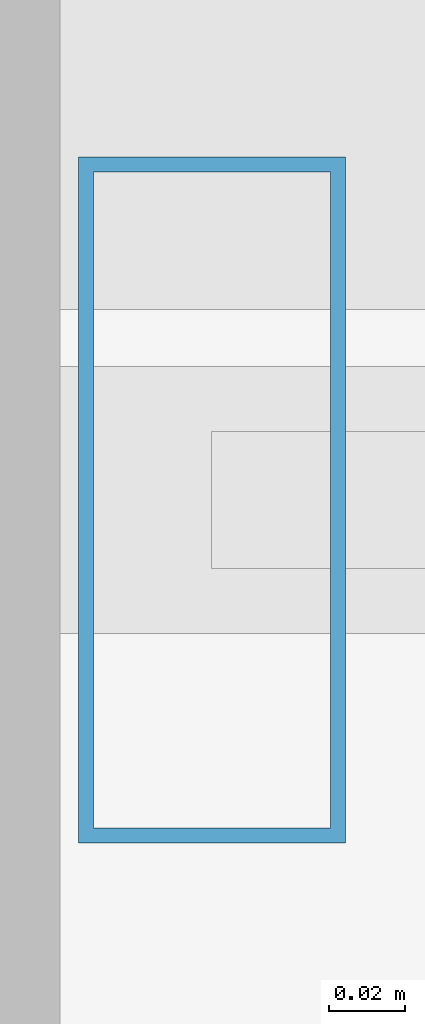
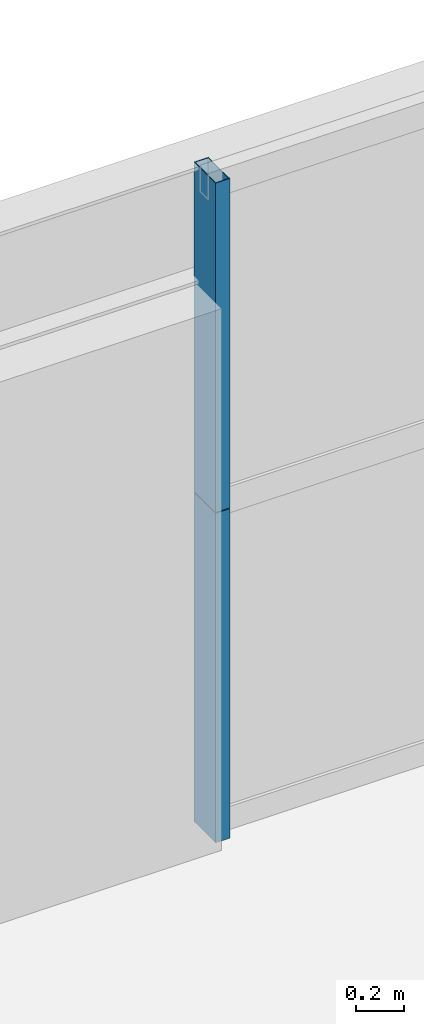
# One storey, part 25 of 41: 2 members, 1 element without a shape of its own.
"""IFC4 building model written with IfcOpenShell, lengths in metres."""

from ifc_helpers import new_model, si_unit, direction, frame, origin, origin_2d, place, context, subcontext, project, spatial, hollow_rectangle, extrude, source, transform, mapped, material, layer, layer_set, material_profile, profile_set, type_object, element, aggregate, save


model = new_model("IFC4")

# Units and contexts
model_context = context("Model", 3, precision=1e-05, world=origin(), true_north=direction((0.0, 1.0)))
body_context = subcontext(model_context, "Body", "Model", "MODEL_VIEW")
ifc_project = project(units=[si_unit("LENGTHUNIT", "METRE"), si_unit("AREAUNIT", "SQUARE_METRE"), si_unit("VOLUMEUNIT", "CUBIC_METRE"), si_unit("PLANEANGLEUNIT", "RADIAN"), si_unit("MASSUNIT", "GRAM", prefix="KILO"), si_unit("THERMODYNAMICTEMPERATUREUNIT", "KELVIN"), si_unit("POWERUNIT", "WATT")], contexts=[model_context])

# Site, building, storey
site_placement = place(None, origin())
site = spatial("IfcSite", under=ifc_project, at=site_placement, CompositionType="ELEMENT")
building_placement = place(site_placement, origin())
building = spatial("IfcBuilding", under=site, at=building_placement, Name="Yuzanri Waterfront Tower", CompositionType="ELEMENT")
storey_placement = place(building_placement, frame((0.0, 0.0, 115.39990234375)))
storey = spatial("IfcBuildingStorey", under=building, at=storey_placement, Name="L30", CompositionType="ELEMENT", Elevation=115.39990234375)

# Curtain wall, members
ifc_material_1 = material(Name="Anodized Architectural Bronze", Category="metal")
ifc_layer = layer(ifc_material_1, 0.159912109375)
ifc_layer_set = layer_set([ifc_layer], Name="Anodized Architectural Bronze")
curtain_wall_type = type_object("IfcCurtainWallType", Name="Anodized Bronze Hotel Upper-Tier Solar-Control Unitized Curtain Wall 7800", PredefinedType="NOTDEFINED", material=ifc_layer_set)
curtain_wall_placement = place(storey_placement, origin())
curtain_wall = element("IfcCurtainWall", 1, at=curtain_wall_placement, inside=storey, type_object=curtain_wall_type, Name="L30 Curtain Wall CW-L30-NL", PredefinedType="NOTDEFINED")
ifc_material_2 = material(Name="Anodized Architectural Bronze", Category="metal")
ifc_material_profile = material_profile(ifc_material_2, hollow_rectangle(XDim=0.070068359375, YDim=0.179931640625, WallThickness=0.00390625, at=origin_2d()), Name="CWM 70x180")
ifc_profile_set = profile_set([ifc_material_profile], Name="Anodized Architectural Bronze")
member_type = type_object("IfcMemberType", Name="Anodized Bronze Standard Curtain-Wall Mullion 70x180", PredefinedType="MULLION", material=ifc_profile_set)
shared_shape = source(origin(), body_context, "Body", "SweptSolid", [
    extrude(hollow_rectangle(XDim=0.070068359375, YDim=0.179931640625, WallThickness=0.00390625, at=origin_2d()), origin(), (0.0, 0.0, 1.0), 1.68798828125),
])
member_1_placement = place(storey_placement, frame((20.7900390625, 49.25, 0.0), z_axis=(0.0, 0.0, 1.0), x_axis=(1.0, 0.0, 0.0)))
member_1 = element("IfcMember", 2, at=member_1_placement, type_object=member_type, Name="CW-L30-NL Lower Mullion 00", PredefinedType="MULLION", context=body_context, shape_type="MappedRepresentation", body=[
    mapped(shared_shape, transform((0.0, 0.0, 0.0), scale=1.0)),
])
member_2_placement = place(storey_placement, frame((20.7900390625, 49.25, 1.692138671875), z_axis=(0.0, 0.0, 1.0), x_axis=(1.0, 0.0, 0.0)))
member_2 = element("IfcMember", 3, at=member_2_placement, type_object=member_type, Name="CW-L30-NL Upper Mullion 00", PredefinedType="MULLION", context=body_context, shape_type="MappedRepresentation", body=[
    mapped(shared_shape, transform((0.0, 0.0, 0.0), scale=1.0)),
])
aggregate(curtain_wall, [member_1, member_2])

save(model, "model.ifc")
